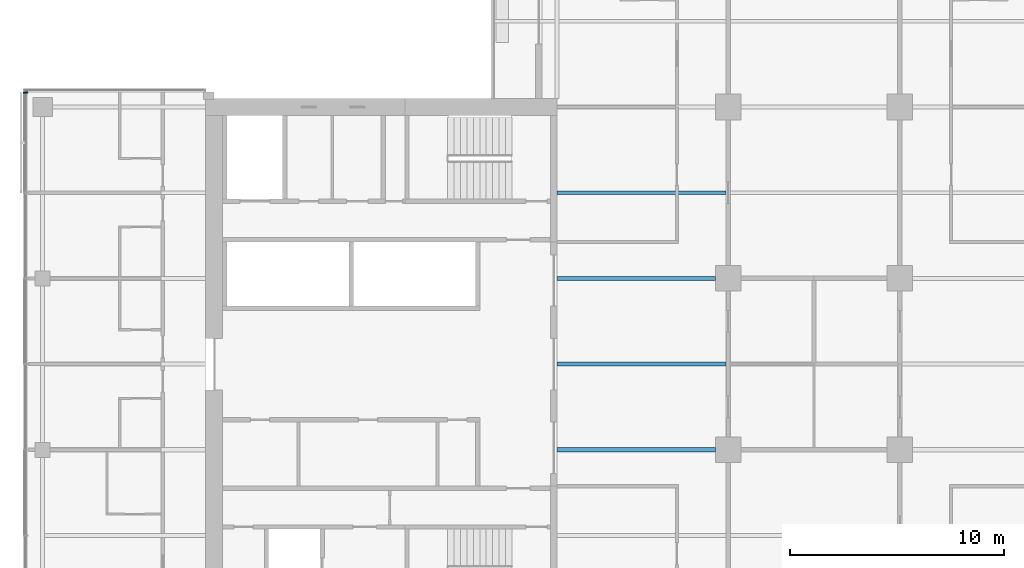
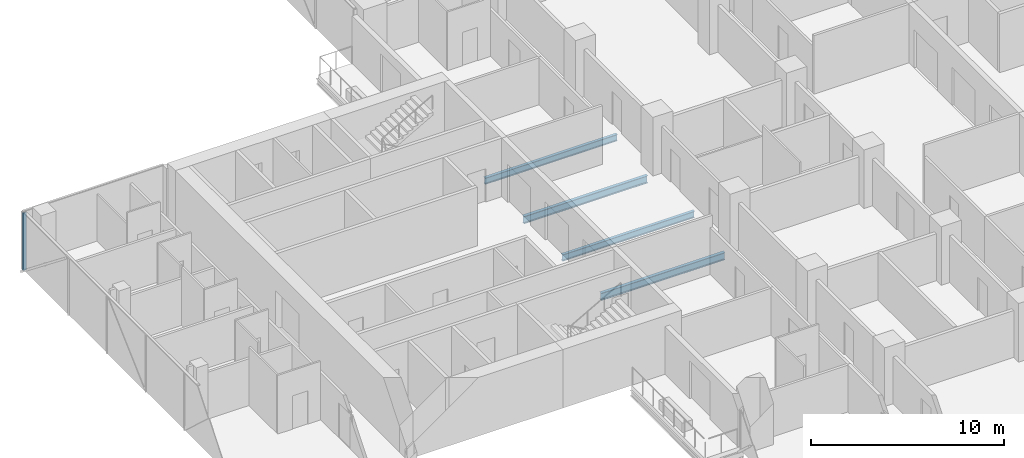
# One storey, part 7 of 27: 4 beams, 1 member, 1 element without a shape of its own.
"""IFC4 building model written with IfcOpenShell, lengths in metres."""

from ifc_helpers import new_model, si_unit, direction, frame, origin, origin_2d, place, context, subcontext, project, spatial, rectangle, i_section, extrude, material, material_profile, profile_set, type_object, element, aggregate, save


model = new_model("IFC4")

# Units and contexts
model_context = context("Model", 3, precision=1e-05, world=origin(), true_north=direction((0.0, 1.0)))
body_context = subcontext(model_context, "Body", "Model", "MODEL_VIEW")
ifc_project = project(units=[si_unit("LENGTHUNIT", "METRE"), si_unit("AREAUNIT", "SQUARE_METRE"), si_unit("VOLUMEUNIT", "CUBIC_METRE"), si_unit("PLANEANGLEUNIT", "RADIAN"), si_unit("MASSUNIT", "GRAM", prefix="KILO")], contexts=[model_context])

# Site, building, storey
site_placement = place(None, origin())
site = spatial("IfcSite", under=ifc_project, at=site_placement, CompositionType="ELEMENT")
building_placement = place(site_placement, origin())
building = spatial("IfcBuilding", under=site, at=building_placement, Name="Crosswind Convention Tower", CompositionType="ELEMENT")
storey_placement = place(building_placement, frame((0.0, 0.0, 86.800048828125)))
storey = spatial("IfcBuildingStorey", under=building, at=storey_placement, Name="L16", CompositionType="ELEMENT", Elevation=86.800048828125)

# Beams
ifc_material_1 = material(Name="Steel S355", Category="steel")
ifc_material_profile_1 = material_profile(ifc_material_1, i_section(OverallWidth=0.19189453125, OverallDepth=0.463623046875, WebThickness=0.010498046875, FlangeThickness=0.017578125, FilletRadius=0.01025390625, at=origin_2d()), Name="UB 457x191x90")
ifc_profile_set_1 = profile_set([ifc_material_profile_1], Name="Steel S355")
beam_type_1 = type_object("IfcBeamType", Name="Girder at core wall UB 457x191x90", PredefinedType="BEAM", material=ifc_profile_set_1)
for number, where, z_axis, x_axis, name in (
    (1, (113.0, 96.0, -0.511962890625), (1.0, 0.0, 0.0), (0.0, 1.0, 0.0), "B24 L16 girder at core wall 4"),
    (2, (113.0, 104.0, -0.511962890625), (1.0, 0.0, 0.0), (0.0, 1.0, 0.0), "B24 L16 girder at core wall 5"),
):
    element("IfcBeam", number, at=place(storey_placement, frame(where, z_axis=z_axis, x_axis=x_axis)), inside=storey, type_object=beam_type_1, Name=name, PredefinedType="BEAM", context=body_context, shape_type="SweptSolid", body=[
        extrude(i_section(OverallWidth=0.19189453125, OverallDepth=0.463623046875, WebThickness=0.010498046875, FlangeThickness=0.017578125, FilletRadius=0.01025390625, at=origin_2d()), origin(), (0.0, 0.0, 1.0), 7.39990234375),
    ])

# Curtain wall, member
ifc_material_2 = material(Name="Aluminium unitised curtain wall", Category="aluminium")
curtain_wall_type = type_object("IfcCurtainWallType", Name="HOTEL UNITISED WALL 200", PredefinedType="USERDEFINED", material=ifc_material_2)
curtain_wall_placement = place(storey_placement, origin())
curtain_wall = element("IfcCurtainWall", 3, at=curtain_wall_placement, inside=storey, type_object=curtain_wall_type, Name="CW2 L16 W-TIP 1", ObjectType="UNITISED", PredefinedType="USERDEFINED")
ifc_material_3 = material(Name="Aluminium mullion", Category="aluminium")
ifc_material_profile_2 = material_profile(ifc_material_3, rectangle(XDim=0.199951171875, YDim=0.06494140625, at=origin_2d()), Name="AL 200X65")
ifc_profile_set_2 = profile_set([ifc_material_profile_2], Name="Aluminium mullion")
member_type = type_object("IfcMemberType", Name="MULLION 65X200", PredefinedType="MULLION", material=ifc_profile_set_2)
member_placement = place(storey_placement, frame((88.199951171875, 112.66748046875, -0.280029296875), z_axis=(0.0, 0.0, 1.0), x_axis=(-1.0, 0.0, 0.0)))
member = element("IfcMember", 4, at=member_placement, type_object=member_type, Name="CW2 mullion 1", PredefinedType="MULLION", context=body_context, shape_type="SweptSolid", body=[
    extrude(rectangle(XDim=0.199951171875, YDim=0.06494140625, at=origin_2d()), origin(), (0.0, 0.0, 1.0), 3.635009765625),
])
aggregate(curtain_wall, [member])

# Beams
ifc_material_profile_3 = material_profile(ifc_material_1, i_section(OverallWidth=0.177734375, OverallDepth=0.406494140625, WebThickness=0.0078125, FlangeThickness=0.0126953125, FilletRadius=0.01025390625, at=origin_2d()), Name="UB 406x178x60")
ifc_profile_set_3 = profile_set([ifc_material_profile_3], Name="Steel S355")
beam_type_2 = type_object("IfcBeamType", Name="Secondary beam UB 406x178x60", PredefinedType="JOIST", material=ifc_profile_set_3)
for number, where, z_axis, x_axis, name in (
    (5, (113.0, 100.0, -0.483154296875), (1.0, 0.0, 0.0), (0.0, 1.0, 0.0), "B10 L16 secondary beam 5"),
    (6, (113.0, 108.0, -0.483154296875), (1.0, 0.0, 0.0), (0.0, 1.0, 0.0), "B10 L16 secondary beam 6"),
):
    element("IfcBeam", number, at=place(storey_placement, frame(where, z_axis=z_axis, x_axis=x_axis)), inside=storey, type_object=beam_type_2, Name=name, PredefinedType="JOIST", context=body_context, shape_type="SweptSolid", body=[
        extrude(i_section(OverallWidth=0.177734375, OverallDepth=0.406494140625, WebThickness=0.0078125, FlangeThickness=0.0126953125, FilletRadius=0.01025390625, at=origin_2d()), origin(), (0.0, 0.0, 1.0), 7.904296875),
    ])

save(model, "model.ifc")
